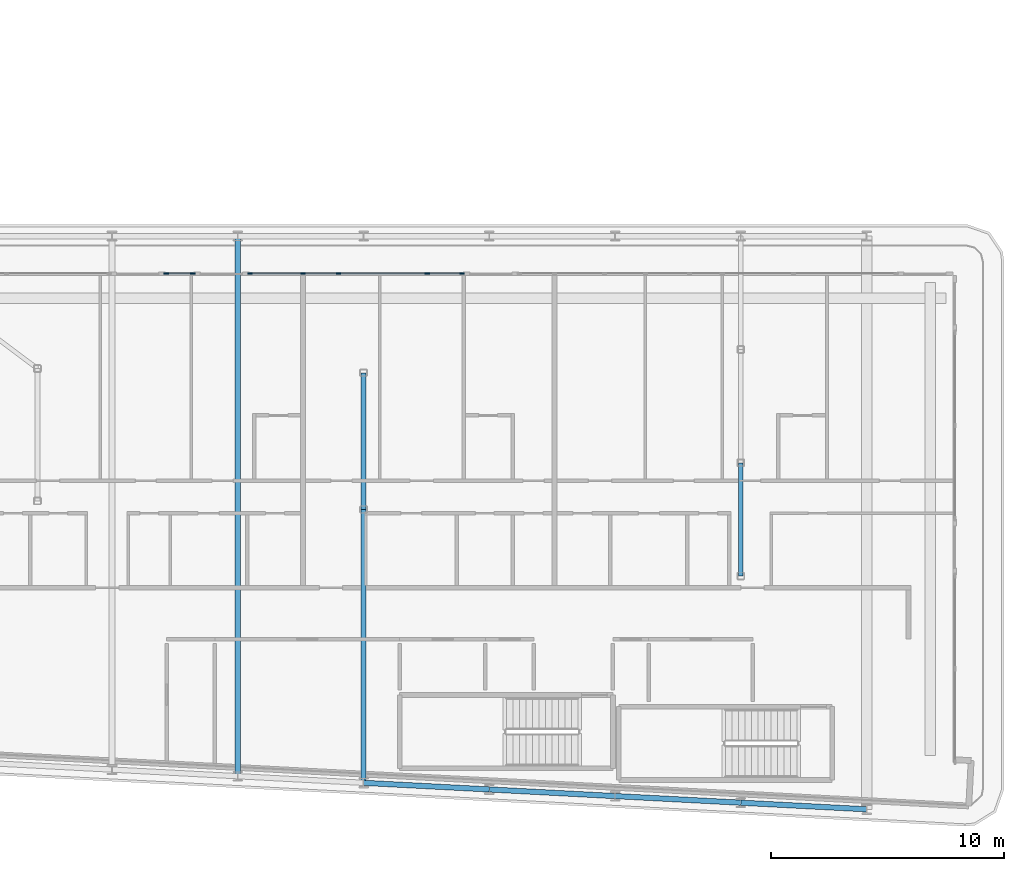
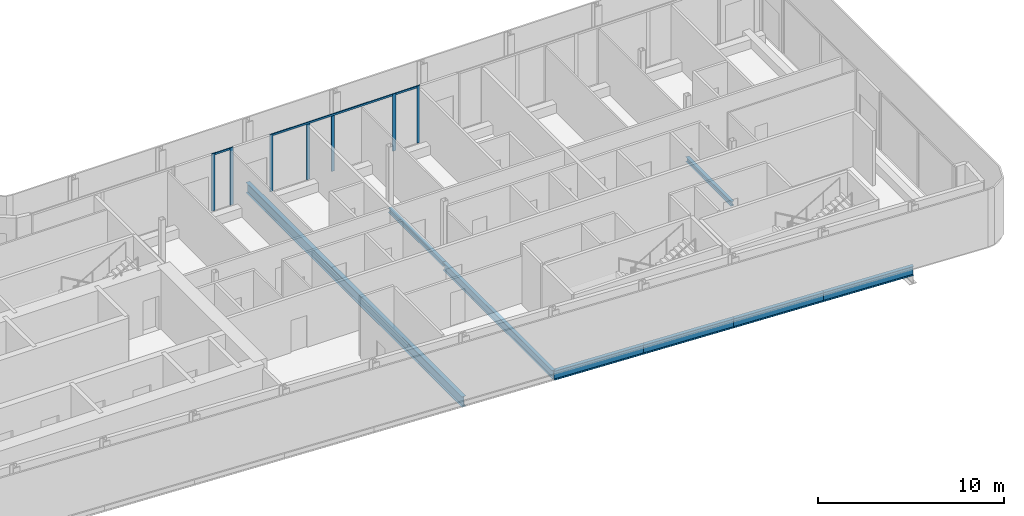
# One storey, part 7 of 30: 10 members, 8 beams, 3 elements without a shape of their own.
"""IFC4 building model written with IfcOpenShell, lengths in metres."""

from ifc_helpers import new_model, si_unit, direction, frame, origin, origin_2d, place, context, subcontext, project, spatial, rectangle, i_section, extrude, material, layer, layer_set, material_profile, profile_set, type_object, element, aggregate, save


model = new_model("IFC4")

# Units and contexts
model_context = context("Model", 3, precision=1e-05, world=origin(), true_north=direction((0.0, 1.0)))
body_context = subcontext(model_context, "Body", "Model", "MODEL_VIEW")
ifc_project = project(units=[si_unit("LENGTHUNIT", "METRE"), si_unit("AREAUNIT", "SQUARE_METRE"), si_unit("VOLUMEUNIT", "CUBIC_METRE"), si_unit("PLANEANGLEUNIT", "RADIAN"), si_unit("MASSUNIT", "GRAM", prefix="KILO")], contexts=[model_context])

# Site, building, storey
site_placement = place(None, origin())
site = spatial("IfcSite", under=ifc_project, at=site_placement, CompositionType="ELEMENT")
building_placement = place(site_placement, origin())
building = spatial("IfcBuilding", under=site, at=building_placement, Name="Kheshtan School and Residences Tower", CompositionType="ELEMENT")
storey_placement = place(building_placement, frame((0.0, 0.0, 164.300048828125)))
storey = spatial("IfcBuildingStorey", under=building, at=storey_placement, Name="L38", CompositionType="ELEMENT", Elevation=164.300048828125)

# Beams
ifc_material_1 = material(Name="Steel ASTM A992 Grade 50", Category="steel")
ifc_material_profile_1 = material_profile(ifc_material_1, i_section(OverallWidth=0.202880859375, OverallDepth=0.302978515625, WebThickness=0.007568359375, FlangeThickness=0.01318359375, FilletRadius=0.009033203125, at=origin_2d()), Name="W310x60")
ifc_profile_set_1 = profile_set([ifc_material_profile_1], Name="Steel ASTM A992 Grade 50")
beam_type_1 = type_object("IfcBeamType", Name="Beam FB1 W310x60 ASTM A992 Grade 50", PredefinedType="BEAM", material=ifc_profile_set_1)
beam_1_placement = place(storey_placement, frame((85.39990234375, 31.0048828125, -0.301513671875), z_axis=(0.0, 1.0, 0.0), x_axis=(-1.0, 0.0, 0.0)))
element("IfcBeam", 1, at=beam_1_placement, inside=storey, type_object=beam_type_1, Name="Floor beam IC", PredefinedType="BEAM", context=body_context, shape_type="SweptSolid", body=[
    extrude(i_section(OverallWidth=0.202880859375, OverallDepth=0.302978515625, WebThickness=0.007568359375, FlangeThickness=0.01318359375, FilletRadius=0.009033203125, at=origin_2d()), origin(), (0.0, 0.0, 1.0), 4.865234375),
])
beam_2_placement = place(storey_placement, frame((69.199951171875, 33.863037109375, -0.301513671875), z_axis=(0.0, 1.0, 0.0), x_axis=(-1.0, 0.0, 0.0)))
element("IfcBeam", 2, at=beam_2_placement, inside=storey, type_object=beam_type_1, Name="Floor beam IC", PredefinedType="BEAM", context=body_context, shape_type="SweptSolid", body=[
    extrude(i_section(OverallWidth=0.202880859375, OverallDepth=0.302978515625, WebThickness=0.007568359375, FlangeThickness=0.01318359375, FilletRadius=0.009033203125, at=origin_2d()), origin(), (0.0, 0.0, 1.0), 5.868896484375),
])
ifc_material_profile_2 = material_profile(ifc_material_1, i_section(OverallWidth=0.208984375, OverallDepth=0.532958984375, WebThickness=0.01025390625, FlangeThickness=0.015625, FilletRadius=0.013916015625, at=origin_2d()), Name="W530x92")
ifc_profile_set_2 = profile_set([ifc_material_profile_2], Name="Steel ASTM A992 Grade 50")
beam_type_2 = type_object("IfcBeamType", Name="Beam FB4 W530x92 ASTM A992 Grade 50", PredefinedType="BEAM", material=ifc_profile_set_2)
beam_3_placement = place(storey_placement, frame((69.199951171875, 22.126953125, -0.41650390625), z_axis=(0.0, 1.0, 0.0), x_axis=(-1.0, 0.0, 0.0)))
element("IfcBeam", 3, at=beam_3_placement, inside=storey, type_object=beam_type_2, Name="Floor beam C014", PredefinedType="BEAM", context=body_context, shape_type="SweptSolid", body=[
    extrude(i_section(OverallWidth=0.208984375, OverallDepth=0.532958984375, WebThickness=0.01025390625, FlangeThickness=0.015625, FilletRadius=0.013916015625, at=origin_2d()), origin(), (0.0, 0.0, 1.0), 11.736083984375),
])
ifc_material_profile_3 = material_profile(ifc_material_1, i_section(OverallWidth=0.2529296875, OverallDepth=0.677978515625, WebThickness=0.01171875, FlangeThickness=0.016357421875, FilletRadius=0.0146484375, at=origin_2d()), Name="W690x125")
ifc_profile_set_3 = profile_set([ifc_material_profile_3], Name="Steel ASTM A992 Grade 50")
beam_type_3 = type_object("IfcBeamType", Name="Beam FB6 W690x125 ASTM A992 Grade 50", PredefinedType="BEAM", material=ifc_profile_set_3)
beam_4_placement = place(storey_placement, frame((63.800048828125, 45.60009765625, -0.489013671875), z_axis=(0.0, -1.0, 0.0), x_axis=(1.0, 0.0, 0.0)))
element("IfcBeam", 4, at=beam_4_placement, inside=storey, type_object=beam_type_3, Name="Floor beam C063", PredefinedType="BEAM", context=body_context, shape_type="SweptSolid", body=[
    extrude(i_section(OverallWidth=0.2529296875, OverallDepth=0.677978515625, WebThickness=0.01171875, FlangeThickness=0.016357421875, FilletRadius=0.0146484375, at=origin_2d()), origin(), (0.0, 0.0, 1.0), 23.189208984375),
])
ifc_material_profile_4 = material_profile(ifc_material_1, i_section(OverallWidth=0.22802734375, OverallDepth=0.60302734375, WebThickness=0.010498046875, FlangeThickness=0.014892578125, FilletRadius=0.013427734375, at=origin_2d()), Name="W610x101")
ifc_profile_set_4 = profile_set([ifc_material_profile_4], Name="Steel ASTM A992 Grade 50")
beam_type_4 = type_object("IfcBeamType", Name="Beam SP2 W610x101 ASTM A992 Grade 50", PredefinedType="BEAM", material=ifc_profile_set_4)
beam_5_placement = place(storey_placement, frame((90.800048828125, 20.989990234375, -0.45166015625), z_axis=(-0.998620571751, 0.05250670125, 0.0), x_axis=(-0.05250670125, -0.998620571751, 0.0)))
element("IfcBeam", 5, at=beam_5_placement, inside=storey, type_object=beam_type_4, Name="Spandrel beam C006-C008", PredefinedType="BEAM", context=body_context, shape_type="SweptSolid", body=[
    extrude(i_section(OverallWidth=0.22802734375, OverallDepth=0.60302734375, WebThickness=0.010498046875, FlangeThickness=0.014892578125, FilletRadius=0.013427734375, at=origin_2d()), origin(), (0.0, 0.0, 1.0), 5.40771484375),
])
for number, where, z_axis, x_axis, name in (
    (6, (85.39990234375, 21.27392578125, -0.45166015625), (-0.998618078766, 0.052554093665, 0.0), (-0.052554093665, -0.998618078766, 0.0), "Spandrel beam C008-C012"),
    (7, (80.0, 21.55810546875, -0.45166015625), (-0.998610961136, 0.052689166816, 0.0), (-0.052689166816, -0.998610961136, 0.0), "Spandrel beam C012-C013"),
):
    element("IfcBeam", number, at=place(storey_placement, frame(where, z_axis=z_axis, x_axis=x_axis)), inside=storey, type_object=beam_type_4, Name=name, PredefinedType="BEAM", context=body_context, shape_type="SweptSolid", body=[
        extrude(i_section(OverallWidth=0.22802734375, OverallDepth=0.60302734375, WebThickness=0.010498046875, FlangeThickness=0.014892578125, FilletRadius=0.013427734375, at=origin_2d()), origin(), (0.0, 0.0, 1.0), 5.407470703125),
    ])
beam_6_placement = place(storey_placement, frame((74.60009765625, 21.843017578125, -0.45166015625), z_axis=(-0.998620571751, 0.05250670125, 0.0), x_axis=(-0.05250670125, -0.998620571751, 0.0)))
element("IfcBeam", 8, at=beam_6_placement, inside=storey, type_object=beam_type_4, Name="Spandrel beam C013-C014", PredefinedType="BEAM", context=body_context, shape_type="SweptSolid", body=[
    extrude(i_section(OverallWidth=0.22802734375, OverallDepth=0.60302734375, WebThickness=0.010498046875, FlangeThickness=0.014892578125, FilletRadius=0.013427734375, at=origin_2d()), origin(), (0.0, 0.0, 1.0), 5.40771484375),
])

# Curtain wall, members
ifc_material_2 = material(Name="Clear low-e glass in thermally broken aluminium frame", Category="aluminium")
ifc_layer = layer(ifc_material_2, 0.199951171875)
ifc_layer_set = layer_set([ifc_layer], Name="Curtain wall CW-L")
curtain_wall_type = type_object("IfcCurtainWallType", Name="Curtain wall CW-L", PredefinedType="NOTDEFINED", material=ifc_layer_set)
curtain_wall_1_placement = place(storey_placement, origin())
curtain_wall_1 = element("IfcCurtainWall", 9, at=curtain_wall_1_placement, inside=storey, type_object=curtain_wall_type, Name="Curtain wall CWL12b", PredefinedType="NOTDEFINED")
ifc_material_3 = material(Name="Thermally broken aluminium, dark bronze anodised", Category="aluminium")
ifc_material_profile_5 = material_profile(ifc_material_3, rectangle(XDim=0.06005859375, YDim=0.199951171875, at=origin_2d()), Name="CW-L mullion 60x200")
ifc_profile_set_5 = profile_set([ifc_material_profile_5], Name="Thermally broken aluminium, dark bronze anodised")
member_type_1 = type_object("IfcMemberType", Name="CW-L mullion 60x200", PredefinedType="MULLION", material=ifc_profile_set_5)
member_1_placement = place(storey_placement, frame((60.7275390625, 44.0, 0.0), z_axis=(0.0, 0.0, 1.0), x_axis=(0.0, 1.0, 0.0)))
member_1 = element("IfcMember", 10, at=member_1_placement, type_object=member_type_1, Name="CWL12b mullion 1", PredefinedType="MULLION", context=body_context, shape_type="SweptSolid", body=[
    extrude(rectangle(XDim=0.06005859375, YDim=0.199951171875, at=origin_2d()), origin(), (0.0, 0.0, 1.0), 3.75),
])
member_2_placement = place(storey_placement, frame((61.867431640625, 44.0, 0.0), z_axis=(0.0, 0.0, 1.0), x_axis=(0.0, 1.0, 0.0)))
member_2 = element("IfcMember", 11, at=member_2_placement, type_object=member_type_1, Name="CWL12b mullion 2", PredefinedType="MULLION", context=body_context, shape_type="SweptSolid", body=[
    extrude(rectangle(XDim=0.06005859375, YDim=0.199951171875, at=origin_2d()), origin(), (0.0, 0.0, 1.0), 3.75),
])

curtain_wall_2_placement = place(storey_placement, origin())
curtain_wall_2 = element("IfcCurtainWall", 12, at=curtain_wall_2_placement, inside=storey, type_object=curtain_wall_type, Name="Curtain wall CWL12v", PredefinedType="NOTDEFINED")
member_3_placement = place(storey_placement, frame((64.327392578125, 44.0, 0.0), z_axis=(0.0, 0.0, 1.0), x_axis=(0.0, 1.0, 0.0)))
member_3 = element("IfcMember", 13, at=member_3_placement, type_object=member_type_1, Name="CWL12v mullion 1", PredefinedType="MULLION", context=body_context, shape_type="SweptSolid", body=[
    extrude(rectangle(XDim=0.06005859375, YDim=0.199951171875, at=origin_2d()), origin(), (0.0, 0.0, 1.0), 3.75),
])
member_4_placement = place(storey_placement, frame((66.60009765625, 44.0, 0.0), z_axis=(0.0, 0.0, 1.0), x_axis=(0.0, 1.0, 0.0)))
member_4 = element("IfcMember", 14, at=member_4_placement, type_object=member_type_1, Name="CWL12v mullion 2", PredefinedType="MULLION", context=body_context, shape_type="SweptSolid", body=[
    extrude(rectangle(XDim=0.06005859375, YDim=0.199951171875, at=origin_2d()), origin(), (0.0, 0.0, 1.0), 3.6298828125),
])
member_5_placement = place(storey_placement, frame((68.13134765625, 44.0, 0.0), z_axis=(0.0, 0.0, 1.0), x_axis=(0.0, 1.0, 0.0)))
member_5 = element("IfcMember", 15, at=member_5_placement, type_object=member_type_1, Name="CWL12v mullion 3", PredefinedType="MULLION", context=body_context, shape_type="SweptSolid", body=[
    extrude(rectangle(XDim=0.06005859375, YDim=0.199951171875, at=origin_2d()), origin(), (0.0, 0.0, 1.0), 3.6298828125),
])
member_6_placement = place(storey_placement, frame((71.93505859375, 44.0, 0.0), z_axis=(0.0, 0.0, 1.0), x_axis=(0.0, 1.0, 0.0)))
member_6 = element("IfcMember", 16, at=member_6_placement, type_object=member_type_1, Name="CWL12v mullion 4", PredefinedType="MULLION", context=body_context, shape_type="SweptSolid", body=[
    extrude(rectangle(XDim=0.06005859375, YDim=0.199951171875, at=origin_2d()), origin(), (0.0, 0.0, 1.0), 3.75),
])

# Curtain wall, member
curtain_wall_3_placement = place(storey_placement, origin())
curtain_wall_3 = element("IfcCurtainWall", 17, at=curtain_wall_3_placement, inside=storey, type_object=curtain_wall_type, Name="Curtain wall CWL12w", PredefinedType="NOTDEFINED")
member_7_placement = place(storey_placement, frame((73.43505859375, 44.0, 0.0), z_axis=(0.0, 0.0, 1.0), x_axis=(0.0, 1.0, 0.0)))
member_7 = element("IfcMember", 18, at=member_7_placement, type_object=member_type_1, Name="CWL12w mullion 2", PredefinedType="MULLION", context=body_context, shape_type="SweptSolid", body=[
    extrude(rectangle(XDim=0.06005859375, YDim=0.199951171875, at=origin_2d()), origin(), (0.0, 0.0, 1.0), 3.75),
])

# Member
ifc_material_profile_6 = material_profile(ifc_material_3, rectangle(XDim=0.06005859375, YDim=0.1201171875, at=origin_2d()), Name="CW-L transom 60x120")
ifc_profile_set_6 = profile_set([ifc_material_profile_6], Name="Thermally broken aluminium, dark bronze anodised")
member_type_2 = type_object("IfcMemberType", Name="CW-L transom 60x120", PredefinedType="USERDEFINED", material=ifc_profile_set_6)
member_8_placement = place(storey_placement, frame((60.757568359375, 44.0, 3.68994140625), z_axis=(1.0, 0.0, 0.0), x_axis=(0.0, 1.0, 0.0)))
member_8 = element("IfcMember", 19, at=member_8_placement, type_object=member_type_2, Name="CWL12b transom 1", ObjectType="TRANSOM", PredefinedType="USERDEFINED", context=body_context, shape_type="SweptSolid", body=[
    extrude(rectangle(XDim=0.06005859375, YDim=0.1201171875, at=origin_2d()), origin(), (0.0, 0.0, 1.0), 1.079833984375),
])

aggregate(curtain_wall_1, [member_1, member_2, member_8])

member_9_placement = place(storey_placement, frame((64.357421875, 44.0, 3.68994140625), z_axis=(1.0, 0.0, 0.0), x_axis=(0.0, 1.0, 0.0)))
member_9 = element("IfcMember", 20, at=member_9_placement, type_object=member_type_2, Name="CWL12v transom 1", ObjectType="TRANSOM", PredefinedType="USERDEFINED", context=body_context, shape_type="SweptSolid", body=[
    extrude(rectangle(XDim=0.06005859375, YDim=0.1201171875, at=origin_2d()), origin(), (0.0, 0.0, 1.0), 7.547607421875),
])

aggregate(curtain_wall_2, [member_3, member_4, member_5, member_6, member_9])

member_10_placement = place(storey_placement, frame((71.965087890625, 44.0, 3.68994140625), z_axis=(1.0, 0.0, 0.0), x_axis=(0.0, 1.0, 0.0)))
member_10 = element("IfcMember", 21, at=member_10_placement, type_object=member_type_2, Name="CWL12w transom 1", ObjectType="TRANSOM", PredefinedType="USERDEFINED", context=body_context, shape_type="SweptSolid", body=[
    extrude(rectangle(XDim=0.06005859375, YDim=0.1201171875, at=origin_2d()), origin(), (0.0, 0.0, 1.0), 1.43994140625),
])

aggregate(curtain_wall_3, [member_7, member_10])

save(model, "model.ifc")
